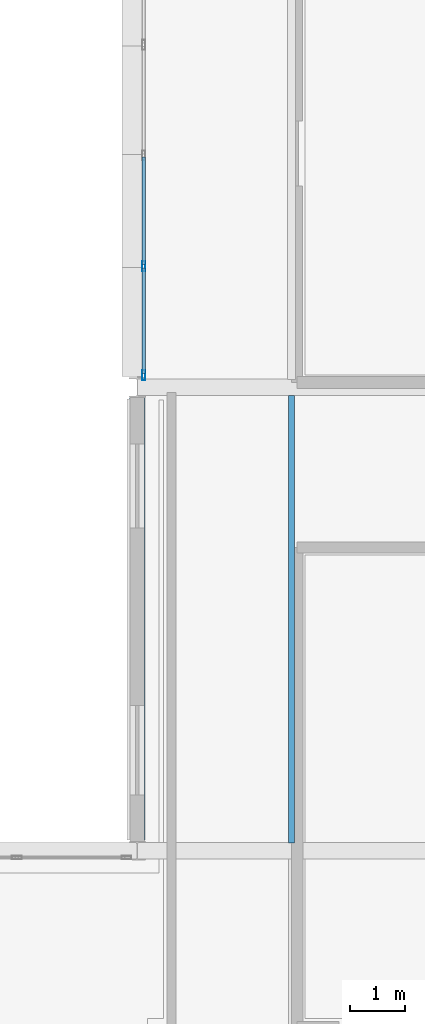
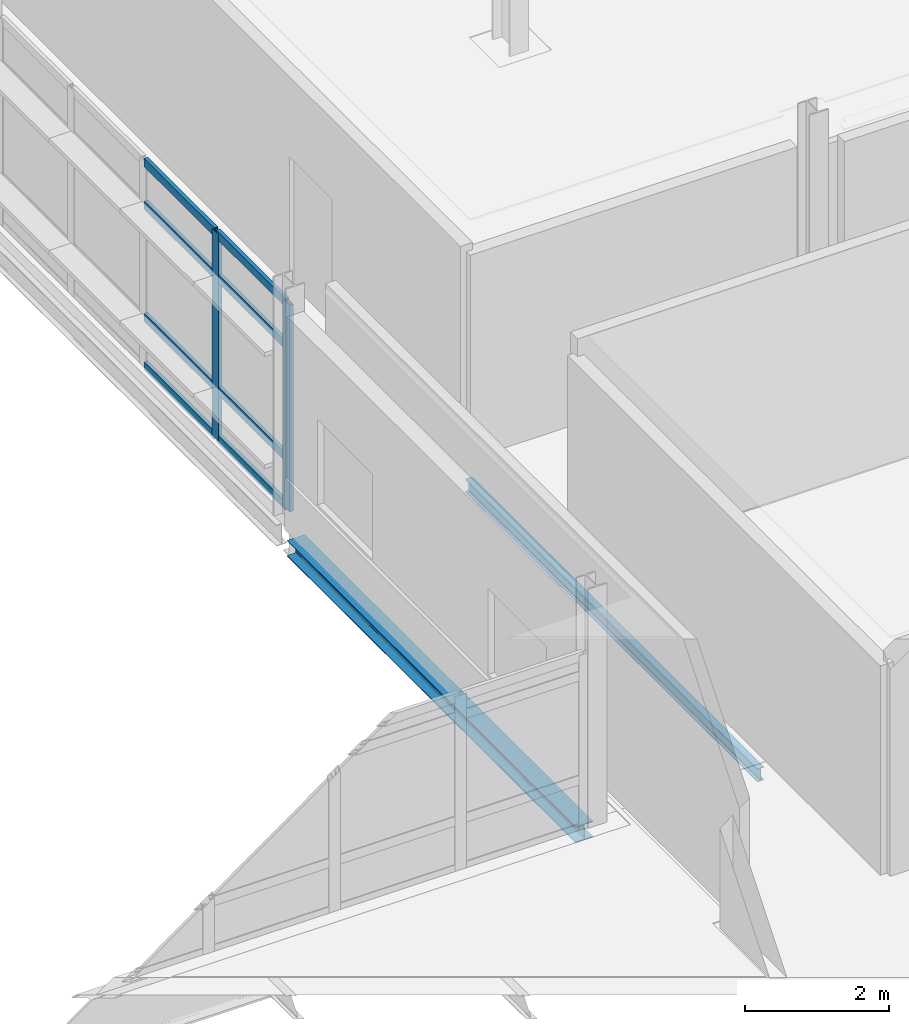
# One storey, part 62 of 131: 10 members, 2 beams, 1 element without a shape of its own.
"""IFC4 building model written with IfcOpenShell, lengths in metres."""

from ifc_helpers import new_model, si_unit, direction, frame, origin, origin_2d, place, context, subcontext, project, spatial, hollow_rectangle, i_section, extrude, material, material_profile, profile_set, type_object, element, aggregate, save


model = new_model("IFC4")

# Units and contexts
model_context = context("Model", 3, precision=1e-05, world=origin(), true_north=direction((0.0, 1.0)))
body_context = subcontext(model_context, "Body", "Model", "MODEL_VIEW")
ifc_project = project(units=[si_unit("LENGTHUNIT", "METRE"), si_unit("AREAUNIT", "SQUARE_METRE"), si_unit("VOLUMEUNIT", "CUBIC_METRE"), si_unit("PLANEANGLEUNIT", "RADIAN"), si_unit("MASSUNIT", "GRAM", prefix="KILO")], contexts=[model_context])

# Site, building, storey
site_placement = place(None, origin())
site = spatial("IfcSite", under=ifc_project, at=site_placement, CompositionType="ELEMENT")
building_placement = place(site_placement, origin())
building = spatial("IfcBuilding", under=site, at=building_placement, Name="Mersafa Astral City Hall", CompositionType="ELEMENT")
storey_placement = place(building_placement, frame((0.0, 0.0, 13.949951171875)))
storey = spatial("IfcBuildingStorey", under=building, at=storey_placement, Name="L03", CompositionType="ELEMENT", Elevation=13.949951171875)

# Curtain wall, members
ifc_material_1 = material(Name="Anodised bronze aluminium framing", Category="aluminium")
curtain_wall_type = type_object("IfcCurtainWallType", Name="ENV-CW-4", PredefinedType="USERDEFINED", material=ifc_material_1)
curtain_wall_placement = place(storey_placement, origin())
curtain_wall = element("IfcCurtainWall", 1, at=curtain_wall_placement, inside=storey, type_object=curtain_wall_type, Name="L03 Unitised solar curtain wall 183", ObjectType="UNITISED CURTAIN WALL", PredefinedType="USERDEFINED")
ifc_material_profile_1 = material_profile(ifc_material_1, hollow_rectangle(XDim=0.06005859375, YDim=0.179931640625, WallThickness=0.00390625, at=origin_2d()), Name="RHS 60x180x4")
ifc_profile_set_1 = profile_set([ifc_material_profile_1], Name="Anodised bronze aluminium framing")
member_type_1 = type_object("IfcMemberType", Name="ENV-CW-MUL-1", PredefinedType="MULLION", material=ifc_profile_set_1)
member_1_placement = place(storey_placement, frame((100.919921875, 102.99853515625, -0.001953125), z_axis=(0.0, 0.0, 1.0), x_axis=(1.0, 0.0, 0.0)))
member_1 = element("IfcMember", 2, at=member_1_placement, type_object=member_type_1, Name="CW-4 mullion 4", PredefinedType="MULLION", context=body_context, shape_type="SweptSolid", body=[
    extrude(hollow_rectangle(XDim=0.06005859375, YDim=0.179931640625, WallThickness=0.00390625, at=origin_2d()), origin(), (0.0, 0.0, 1.0), 3.50390625),
])
member_2_placement = place(storey_placement, frame((100.919921875, 101.02197265625, -0.001953125), z_axis=(0.0, 0.0, 1.0), x_axis=(1.0, 0.0, 0.0)))
member_2 = element("IfcMember", 3, at=member_2_placement, type_object=member_type_1, Name="CW-4 mullion 5", PredefinedType="MULLION", context=body_context, shape_type="SweptSolid", body=[
    extrude(hollow_rectangle(XDim=0.06005859375, YDim=0.179931640625, WallThickness=0.00390625, at=origin_2d()), origin(), (0.0, 0.0, 1.0), 3.50390625),
])
ifc_material_profile_2 = material_profile(ifc_material_1, hollow_rectangle(XDim=0.06005859375, YDim=0.139892578125, WallThickness=0.00390625, at=origin_2d()), Name="RHS 60x140x4")
ifc_profile_set_2 = profile_set([ifc_material_profile_2], Name="Anodised bronze aluminium framing")
member_type_2 = type_object("IfcMemberType", Name="ENV-CW-TRN-1", PredefinedType="USERDEFINED", material=ifc_profile_set_2)
member_3_placement = place(storey_placement, frame((100.919921875, 104.97509765625, 0.028076171875), z_axis=(0.0, -1.0, 0.0), x_axis=(1.0, 0.0, 0.0)))
member_3 = element("IfcMember", 4, at=member_3_placement, type_object=member_type_2, Name="CW-4 transom 3.1", ObjectType="TRANSOM", PredefinedType="USERDEFINED", context=body_context, shape_type="SweptSolid", body=[
    extrude(hollow_rectangle(XDim=0.06005859375, YDim=0.139892578125, WallThickness=0.00390625, at=origin_2d()), origin(), (0.0, 0.0, 1.0), 1.946533203125),
])
member_4_placement = place(storey_placement, frame((100.919921875, 104.97509765625, 0.85009765625), z_axis=(0.0, -1.0, 0.0), x_axis=(1.0, 0.0, 0.0)))
member_4 = element("IfcMember", 5, at=member_4_placement, type_object=member_type_2, Name="CW-4 transom 3.2", ObjectType="TRANSOM", PredefinedType="USERDEFINED", context=body_context, shape_type="SweptSolid", body=[
    extrude(hollow_rectangle(XDim=0.06005859375, YDim=0.139892578125, WallThickness=0.00390625, at=origin_2d()), origin(), (0.0, 0.0, 1.0), 1.946533203125),
])
member_5_placement = place(storey_placement, frame((100.919921875, 104.97509765625, 2.75), z_axis=(0.0, -1.0, 0.0), x_axis=(1.0, 0.0, 0.0)))
member_5 = element("IfcMember", 6, at=member_5_placement, type_object=member_type_2, Name="CW-4 transom 3.3", ObjectType="TRANSOM", PredefinedType="USERDEFINED", context=body_context, shape_type="SweptSolid", body=[
    extrude(hollow_rectangle(XDim=0.06005859375, YDim=0.139892578125, WallThickness=0.00390625, at=origin_2d()), origin(), (0.0, 0.0, 1.0), 1.946533203125),
])
member_6_placement = place(storey_placement, frame((100.919921875, 104.97509765625, 3.47216796875), z_axis=(0.0, -1.0, 0.0), x_axis=(1.0, 0.0, 0.0)))
member_6 = element("IfcMember", 7, at=member_6_placement, type_object=member_type_2, Name="CW-4 transom 3.4", ObjectType="TRANSOM", PredefinedType="USERDEFINED", context=body_context, shape_type="SweptSolid", body=[
    extrude(hollow_rectangle(XDim=0.06005859375, YDim=0.139892578125, WallThickness=0.00390625, at=origin_2d()), origin(), (0.0, 0.0, 1.0), 1.946533203125),
])
member_7_placement = place(storey_placement, frame((100.919921875, 102.968505859375, 0.028076171875), z_axis=(0.0, -1.0, 0.0), x_axis=(1.0, 0.0, 0.0)))
member_7 = element("IfcMember", 8, at=member_7_placement, type_object=member_type_2, Name="CW-4 transom 4.1", ObjectType="TRANSOM", PredefinedType="USERDEFINED", context=body_context, shape_type="SweptSolid", body=[
    extrude(hollow_rectangle(XDim=0.06005859375, YDim=0.139892578125, WallThickness=0.00390625, at=origin_2d()), origin(), (0.0, 0.0, 1.0), 1.91650390625),
])
member_8_placement = place(storey_placement, frame((100.919921875, 102.968505859375, 0.85009765625), z_axis=(0.0, -1.0, 0.0), x_axis=(1.0, 0.0, 0.0)))
member_8 = element("IfcMember", 9, at=member_8_placement, type_object=member_type_2, Name="CW-4 transom 4.2", ObjectType="TRANSOM", PredefinedType="USERDEFINED", context=body_context, shape_type="SweptSolid", body=[
    extrude(hollow_rectangle(XDim=0.06005859375, YDim=0.139892578125, WallThickness=0.00390625, at=origin_2d()), origin(), (0.0, 0.0, 1.0), 1.91650390625),
])
member_9_placement = place(storey_placement, frame((100.919921875, 102.968505859375, 2.75), z_axis=(0.0, -1.0, 0.0), x_axis=(1.0, 0.0, 0.0)))
member_9 = element("IfcMember", 10, at=member_9_placement, type_object=member_type_2, Name="CW-4 transom 4.3", ObjectType="TRANSOM", PredefinedType="USERDEFINED", context=body_context, shape_type="SweptSolid", body=[
    extrude(hollow_rectangle(XDim=0.06005859375, YDim=0.139892578125, WallThickness=0.00390625, at=origin_2d()), origin(), (0.0, 0.0, 1.0), 1.91650390625),
])
member_10_placement = place(storey_placement, frame((100.919921875, 102.968505859375, 3.47216796875), z_axis=(0.0, -1.0, 0.0), x_axis=(1.0, 0.0, 0.0)))
member_10 = element("IfcMember", 11, at=member_10_placement, type_object=member_type_2, Name="CW-4 transom 4.4", ObjectType="TRANSOM", PredefinedType="USERDEFINED", context=body_context, shape_type="SweptSolid", body=[
    extrude(hollow_rectangle(XDim=0.06005859375, YDim=0.139892578125, WallThickness=0.00390625, at=origin_2d()), origin(), (0.0, 0.0, 1.0), 1.91650390625),
])
aggregate(curtain_wall, [member_1, member_2, member_3, member_4, member_5, member_6, member_7, member_8, member_9, member_10])

# Beams
ifc_material_2 = material(Name="Steel S355", Category="steel")
ifc_material_profile_3 = material_profile(ifc_material_2, i_section(OverallWidth=0.110107421875, OverallDepth=0.219970703125, WebThickness=0.005859375, FlangeThickness=0.00927734375, FilletRadius=0.011962890625, at=origin_2d()), Name="IPE 220")
ifc_profile_set_3 = profile_set([ifc_material_profile_3], Name="Steel S355")
beam_type_1 = type_object("IfcBeamType", Name="STR-BM-JOIST-IPE220", PredefinedType="JOIST", material=ifc_profile_set_3)
beam_1_placement = place(storey_placement, frame((103.60009765625, 92.544921875, -0.31005859375), z_axis=(0.0, 1.0, 0.0), x_axis=(-1.0, 0.0, 0.0)))
element("IfcBeam", 12, at=beam_1_placement, inside=storey, type_object=beam_type_1, Name="L03 Composite secondary floor joist 598", PredefinedType="JOIST", context=body_context, shape_type="SweptSolid", body=[
    extrude(i_section(OverallWidth=0.110107421875, OverallDepth=0.219970703125, WebThickness=0.005859375, FlangeThickness=0.00927734375, FilletRadius=0.011962890625, at=origin_2d()), origin(), (0.0, 0.0, 1.0), 8.110107421875),
])
ifc_material_profile_4 = material_profile(ifc_material_2, i_section(OverallWidth=0.280029296875, OverallDepth=0.27001953125, WebThickness=0.008056640625, FlangeThickness=0.012939453125, FilletRadius=0.02392578125, at=origin_2d()), Name="HEA 280")
ifc_profile_set_4 = profile_set([ifc_material_profile_4], Name="Steel S355")
beam_type_2 = type_object("IfcBeamType", Name="STR-BM-SPANDREL-HEA280", PredefinedType="SPANDREL", material=ifc_profile_set_4)
beam_2_placement = place(storey_placement, frame((100.800048828125, 92.594970703125, -0.3349609375), z_axis=(0.0, 1.0, 0.0), x_axis=(-1.0, 0.0, 0.0)))
element("IfcBeam", 13, at=beam_2_placement, inside=storey, type_object=beam_type_2, Name="L03 Primary girder Y 12-11", PredefinedType="SPANDREL", context=body_context, shape_type="SweptSolid", body=[
    extrude(i_section(OverallWidth=0.280029296875, OverallDepth=0.27001953125, WebThickness=0.008056640625, FlangeThickness=0.012939453125, FilletRadius=0.02392578125, at=origin_2d()), origin(), (0.0, 0.0, 1.0), 8.010009765625),
])

save(model, "model.ifc")
